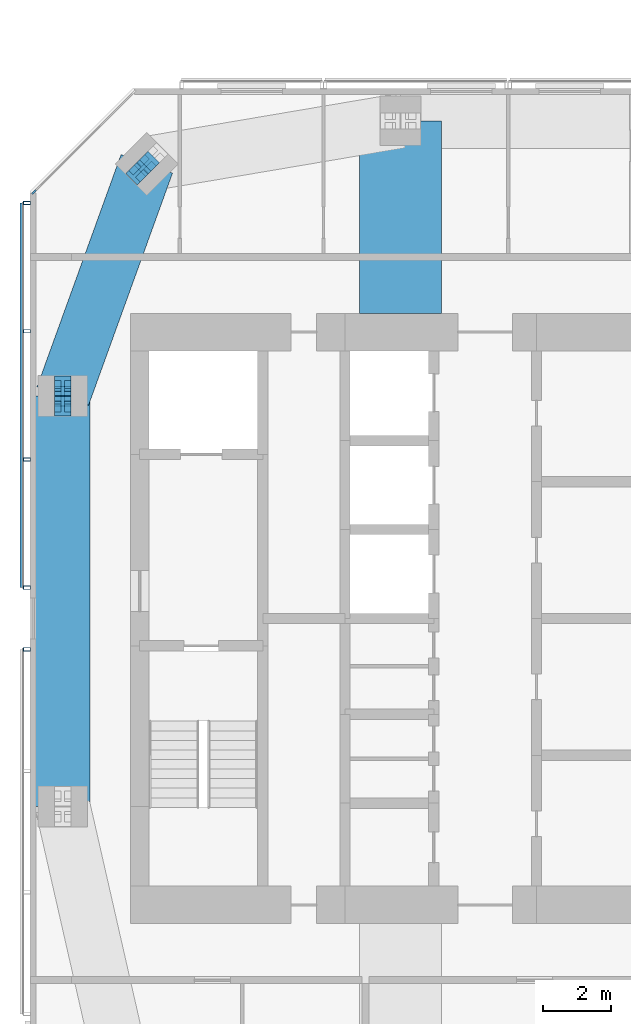
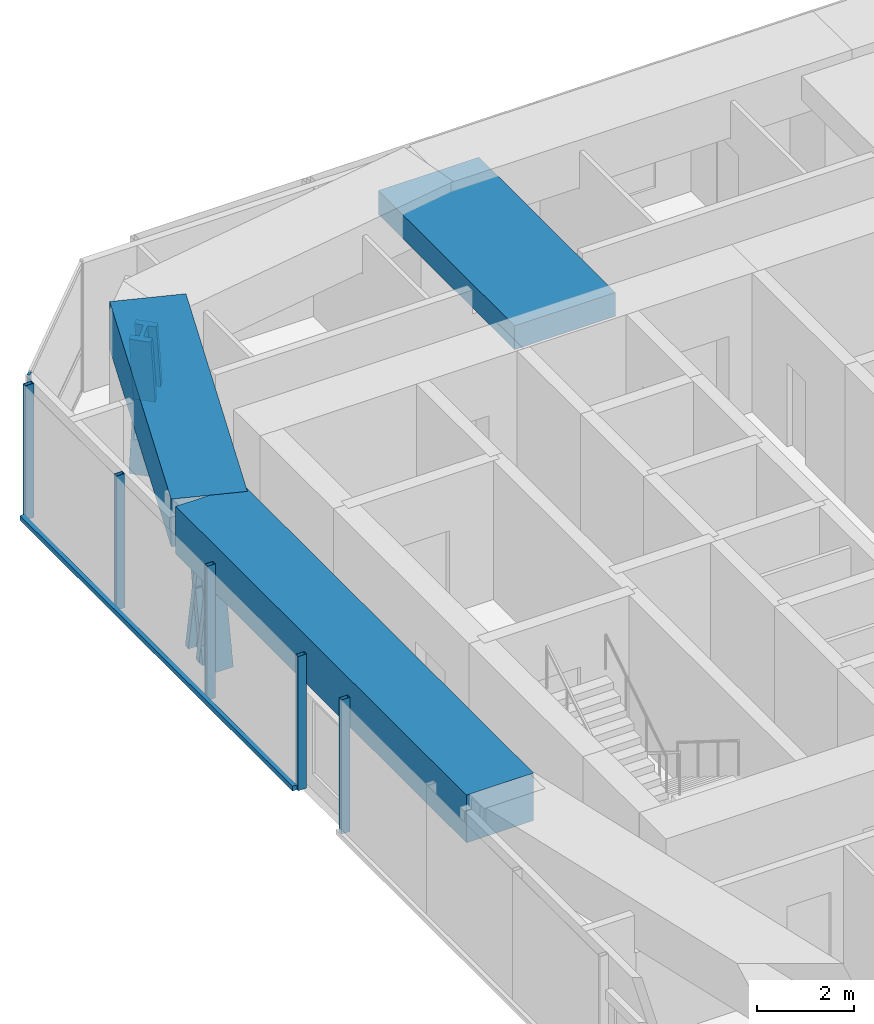
# One storey, part 6 of 20: 13 members, 3 beams, 3 elements without a shape of their own.
"""IFC4 building model written with IfcOpenShell, lengths in metres."""

from ifc_helpers import new_model, si_unit, direction, frame, origin, origin_2d, place, context, subcontext, project, spatial, rectangle, hollow_rectangle, i_section, extrude, material, material_profile, profile_set, type_object, element, aggregate, save


model = new_model("IFC4")

# Units and contexts
model_context = context("Model", 3, precision=1e-05, world=origin(), true_north=direction((0.0, 1.0)))
body_context = subcontext(model_context, "Body", "Model", "MODEL_VIEW")
ifc_project = project(units=[si_unit("LENGTHUNIT", "METRE"), si_unit("AREAUNIT", "SQUARE_METRE"), si_unit("VOLUMEUNIT", "CUBIC_METRE"), si_unit("PLANEANGLEUNIT", "RADIAN"), si_unit("MASSUNIT", "GRAM", prefix="KILO")], contexts=[model_context])

# Site, building, storey
site_placement = place(None, origin())
site = spatial("IfcSite", under=ifc_project, at=site_placement, CompositionType="ELEMENT")
building_placement = place(site_placement, origin())
building = spatial("IfcBuilding", under=site, at=building_placement, Name="Jalousie Tower", CompositionType="ELEMENT")
storey_placement = place(building_placement, frame((0.0, 0.0, 238.949951171875)))
storey = spatial("IfcBuildingStorey", under=building, at=storey_placement, Name="L65", CompositionType="ELEMENT", Elevation=238.949951171875)

# Curtain wall, member
ifc_material_1 = material(Name="Aluminium curtain wall", Category="aluminium")
curtain_wall_type_1 = type_object("IfcCurtainWallType", Name="CORNER WINDOW WALL", PredefinedType="USERDEFINED", material=ifc_material_1)
curtain_wall_1_placement = place(storey_placement, origin())
curtain_wall_1 = element("IfcCurtainWall", 1, at=curtain_wall_1_placement, inside=storey, type_object=curtain_wall_type_1, Name="Corner Window Wall L65 6", ObjectType="CORNER WINDOW WALL", PredefinedType="USERDEFINED")
ifc_material_2 = material(Name="Aluminium mullion", Category="aluminium")
ifc_material_profile_1 = material_profile(ifc_material_2, rectangle(XDim=0.06005859375, YDim=0.14990234375, at=origin_2d()), Name="MULLION 60x150")
ifc_profile_set_1 = profile_set([ifc_material_profile_1], Name="Aluminium mullion")
member_type_1 = type_object("IfcMemberType", Name="CORNER WINDOW WALL MULLION", PredefinedType="MULLION", material=ifc_profile_set_1)
member_1_placement = place(storey_placement, frame((16.90869140625, 30.969970703125, 0.0), z_axis=(0.0, 0.0, 1.0), x_axis=(0.707106781187, -0.707106781187, 0.0)))
member_1 = element("IfcMember", 2, at=member_1_placement, type_object=member_type_1, Name="CW-C mullion 2", PredefinedType="MULLION", context=body_context, shape_type="SweptSolid", body=[
    extrude(rectangle(XDim=0.06005859375, YDim=0.14990234375, at=origin_2d()), origin(), (0.0, 0.0, 1.0), 3.260009765625),
])
aggregate(curtain_wall_1, [member_1])

# Members
ifc_material_3 = material(Name="Steel ASTM A992 Grade 50", Category="steel")
ifc_material_profile_2 = material_profile(ifc_material_3, i_section(OverallWidth=0.472412109375, OverallDepth=0.5791015625, WebThickness=0.094970703125, FlangeThickness=0.1298828125, at=origin_2d()), Name="W14X808")
ifc_profile_set_2 = profile_set([ifc_material_profile_2], Name="Steel ASTM A992 Grade 50")
member_type_2 = type_object("IfcMemberType", Name="PERIMETER BRACE W14X808", PredefinedType="BRACE", material=ifc_profile_set_2)
for number, where, z_axis, x_axis, name in (
    (3, (20.20703125, 31.79296875, 1.150146484375), (-0.138579250682, -0.138716051522, 0.980588419435), (0.707455539091, -0.706757851183, 0.0), "Perimeter brace 12 L65 part 2"),
    (4, (19.959716796875, 31.54541015625, -0.599853515625), (0.138579250682, 0.138716051522, 0.980588419435), (-0.707455539091, 0.706757851183, 0.0), "Perimeter brace 12 L65 part 3"),
):
    element("IfcMember", number, at=place(storey_placement, frame(where, z_axis=z_axis, x_axis=x_axis)), inside=storey, type_object=member_type_2, Name=name, PredefinedType="BRACE", context=body_context, shape_type="SweptSolid", body=[
        extrude(i_section(OverallWidth=0.472412109375, OverallDepth=0.5791015625, WebThickness=0.094970703125, FlangeThickness=0.1298828125, at=origin_2d()), origin(), (0.0, 0.0, 1.0), 1.78466796875),
    ])
for number, where, z_axis, x_axis, name in (
    (5, (17.75, 24.699951171875, -0.599853515625), (0.0, 0.168990530437, 0.98561767467), (-1.0, 0.0, 0.0), "Perimeter brace 13 L65 part 1"),
    (6, (17.75, 25.0, 1.150146484375), (0.0, 0.168990530437, 0.98561767467), (-1.0, 0.0, 0.0), "Perimeter brace 13 L65 part 2"),
    (7, (17.75, 25.300048828125, -0.599853515625), (0.0, -0.168990530437, 0.98561767467), (1.0, 0.0, 0.0), "Perimeter brace 13 L65 part 3"),
    (8, (17.75, 25.0, 1.150146484375), (0.0, -0.168990530437, 0.98561767467), (1.0, 0.0, 0.0), "Perimeter brace 13 L65 part 4"),
):
    element("IfcMember", number, at=place(storey_placement, frame(where, z_axis=z_axis, x_axis=x_axis)), inside=storey, type_object=member_type_2, Name=name, PredefinedType="BRACE", context=body_context, shape_type="SweptSolid", body=[
        extrude(i_section(OverallWidth=0.472412109375, OverallDepth=0.5791015625, WebThickness=0.094970703125, FlangeThickness=0.1298828125, at=origin_2d()), origin(), (0.0, 0.0, 1.0), 1.775634765625),
    ])

# Beams
ifc_material_4 = material(Name="Concrete f'c 40 MPa", Category="concrete")
ifc_material_profile_3 = material_profile(ifc_material_4, rectangle(XDim=1.60009765625, YDim=1.199951171875, at=origin_2d()), Name="RC 1600x1200")
ifc_profile_set_3 = profile_set([ifc_material_profile_3], Name="Concrete f'c 40 MPa")
beam_type_1 = type_object("IfcBeamType", Name="RC BEAM 1600x1200", PredefinedType="BEAM", material=ifc_profile_set_3)
beam_1_placement = place(storey_placement, frame((20.20703125, 31.79296875, 2.900146484375), z_axis=(-0.340136081654, -0.940376225751, 0.0), x_axis=(0.940376225751, -0.340136081654, 0.0)))
element("IfcBeam", 9, at=beam_1_placement, inside=storey, type_object=beam_type_1, Name="Edge band beam 12-13 under L66", PredefinedType="BEAM", context=body_context, shape_type="SweptSolid", body=[
    extrude(rectangle(XDim=1.60009765625, YDim=1.199951171875, at=origin_2d()), origin(), (0.0, 0.0, 1.0), 7.2236328125),
])
beam_2_placement = place(storey_placement, frame((17.75, 25.0, 2.900146484375), z_axis=(0.0, -1.0, 0.0), x_axis=(1.0, 0.0, 0.0)))
element("IfcBeam", 10, at=beam_2_placement, inside=storey, type_object=beam_type_1, Name="Edge band beam 13-14 under L66", PredefinedType="BEAM", context=body_context, shape_type="SweptSolid", body=[
    extrude(rectangle(XDim=1.60009765625, YDim=1.199951171875, at=origin_2d()), origin(), (0.0, 0.0, 1.0), 12.0),
])
ifc_material_5 = material(Name="Concrete f'c 40 MPa", Category="concrete")
ifc_material_profile_4 = material_profile(ifc_material_5, rectangle(XDim=2.39990234375, YDim=0.60009765625, at=origin_2d()), Name="RC 2400x600")
ifc_profile_set_4 = profile_set([ifc_material_profile_4], Name="Concrete f'c 40 MPa")
beam_type_2 = type_object("IfcBeamType", Name="RC BEAM 2400x600", PredefinedType="BEAM", material=ifc_profile_set_4)
beam_3_placement = place(storey_placement, frame((27.625, 33.050048828125, 2.9599609375), z_axis=(0.0, -1.0, 0.0), x_axis=(1.0, 0.0, 0.0)))
element("IfcBeam", 11, at=beam_3_placement, inside=storey, type_object=beam_type_2, Name="Floor band beam under L66", PredefinedType="BEAM", context=body_context, shape_type="SweptSolid", body=[
    extrude(rectangle(XDim=2.39990234375, YDim=0.60009765625, at=origin_2d()), origin(), (0.0, 0.0, 1.0), 5.625),
])

# Curtain wall, members
ifc_material_6 = material(Name="Perforated aluminium sheet", Category="aluminium")
curtain_wall_type_2 = type_object("IfcCurtainWallType", Name="SOLAR SCREEN SS-2", PredefinedType="USERDEFINED", material=ifc_material_6)
curtain_wall_2_placement = place(storey_placement, origin())
curtain_wall_2 = element("IfcCurtainWall", 12, at=curtain_wall_2_placement, inside=storey, type_object=curtain_wall_type_2, Name="Solar screen L65", ObjectType="SOLAR SCREEN SS-2", PredefinedType="USERDEFINED")
ifc_material_7 = material(Name="Steel ASTM A500 Grade C", Category="steel")
ifc_material_profile_5 = material_profile(ifc_material_7, hollow_rectangle(XDim=0.1015625, YDim=0.203125, WallThickness=0.0078125, at=origin_2d()), Name="HSS8X4X5/16")
ifc_profile_set_5 = profile_set([ifc_material_profile_5], Name="Steel ASTM A500 Grade C")
member_type_3 = type_object("IfcMemberType", Name="SOLAR SCREEN SS-2 MULLION", PredefinedType="MULLION", material=ifc_profile_set_5)
member_2_placement = place(storey_placement, frame((16.703369140625, 30.648681640625, -0.119873046875), z_axis=(0.0, 0.0, 1.0), x_axis=(0.0, -1.0, 0.0)))
member_2 = element("IfcMember", 13, at=member_2_placement, type_object=member_type_3, Name="SS2 post 1", PredefinedType="MULLION", context=body_context, shape_type="SweptSolid", body=[
    extrude(hollow_rectangle(XDim=0.1015625, YDim=0.203125, WallThickness=0.0078125, at=origin_2d()), origin(), (0.0, 0.0, 1.0), 3.3798828125),
])
member_3_placement = place(storey_placement, frame((16.703369140625, 26.899169921875, -0.119873046875), z_axis=(0.0, 0.0, 1.0), x_axis=(0.0, -1.0, 0.0)))
member_3 = element("IfcMember", 14, at=member_3_placement, type_object=member_type_3, Name="SS2 post 2", PredefinedType="MULLION", context=body_context, shape_type="SweptSolid", body=[
    extrude(hollow_rectangle(XDim=0.1015625, YDim=0.203125, WallThickness=0.0078125, at=origin_2d()), origin(), (0.0, 0.0, 1.0), 3.3798828125),
])
member_4_placement = place(storey_placement, frame((16.703369140625, 23.149658203125, -0.119873046875), z_axis=(0.0, 0.0, 1.0), x_axis=(0.0, -1.0, 0.0)))
member_4 = element("IfcMember", 15, at=member_4_placement, type_object=member_type_3, Name="SS2 post 3", PredefinedType="MULLION", context=body_context, shape_type="SweptSolid", body=[
    extrude(hollow_rectangle(XDim=0.1015625, YDim=0.203125, WallThickness=0.0078125, at=origin_2d()), origin(), (0.0, 0.0, 1.0), 3.3798828125),
])
member_5_placement = place(storey_placement, frame((16.703369140625, 19.39990234375, -0.119873046875), z_axis=(0.0, 0.0, 1.0), x_axis=(0.0, -1.0, 0.0)))
member_5 = element("IfcMember", 16, at=member_5_placement, type_object=member_type_3, Name="SS2 post 4", PredefinedType="MULLION", context=body_context, shape_type="SweptSolid", body=[
    extrude(hollow_rectangle(XDim=0.1015625, YDim=0.203125, WallThickness=0.0078125, at=origin_2d()), origin(), (0.0, 0.0, 1.0), 3.3798828125),
])

# Curtain wall, member
curtain_wall_3_placement = place(storey_placement, origin())
curtain_wall_3 = element("IfcCurtainWall", 17, at=curtain_wall_3_placement, inside=storey, type_object=curtain_wall_type_2, Name="Solar screen L65", ObjectType="SOLAR SCREEN SS-2", PredefinedType="USERDEFINED")
member_6_placement = place(storey_placement, frame((16.703369140625, 17.60009765625, -0.119873046875), z_axis=(0.0, 0.0, 1.0), x_axis=(0.0, -1.0, 0.0)))
member_6 = element("IfcMember", 18, at=member_6_placement, type_object=member_type_3, Name="SS2 post 1", PredefinedType="MULLION", context=body_context, shape_type="SweptSolid", body=[
    extrude(hollow_rectangle(XDim=0.1015625, YDim=0.203125, WallThickness=0.0078125, at=origin_2d()), origin(), (0.0, 0.0, 1.0), 3.3798828125),
])
aggregate(curtain_wall_3, [member_6])

# Member
ifc_material_8 = material(Name="Extruded aluminium screen rail", Category="aluminium")
ifc_material_profile_6 = material_profile(ifc_material_8, rectangle(XDim=0.1015625, YDim=0.1201171875, at=origin_2d()), Name="RAIL 102x120")
ifc_profile_set_6 = profile_set([ifc_material_profile_6], Name="Extruded aluminium screen rail")
member_type_4 = type_object("IfcMemberType", Name="SOLAR SCREEN SS-2 TRANSOM", PredefinedType="USERDEFINED", material=ifc_profile_set_6)
member_7_placement = place(storey_placement, frame((16.551025390625, 30.648681640625, -0.06005859375), z_axis=(0.0, -1.0, 0.0), x_axis=(1.0, 0.0, 0.0)))
member_7 = element("IfcMember", 19, at=member_7_placement, type_object=member_type_4, Name="SS2 rail", ObjectType="TRANSOM", PredefinedType="USERDEFINED", context=body_context, shape_type="SweptSolid", body=[
    extrude(rectangle(XDim=0.1015625, YDim=0.1201171875, at=origin_2d()), origin(), (0.0, 0.0, 1.0), 11.248779296875),
])

aggregate(curtain_wall_2, [member_2, member_3, member_4, member_5, member_7])

save(model, "model.ifc")
